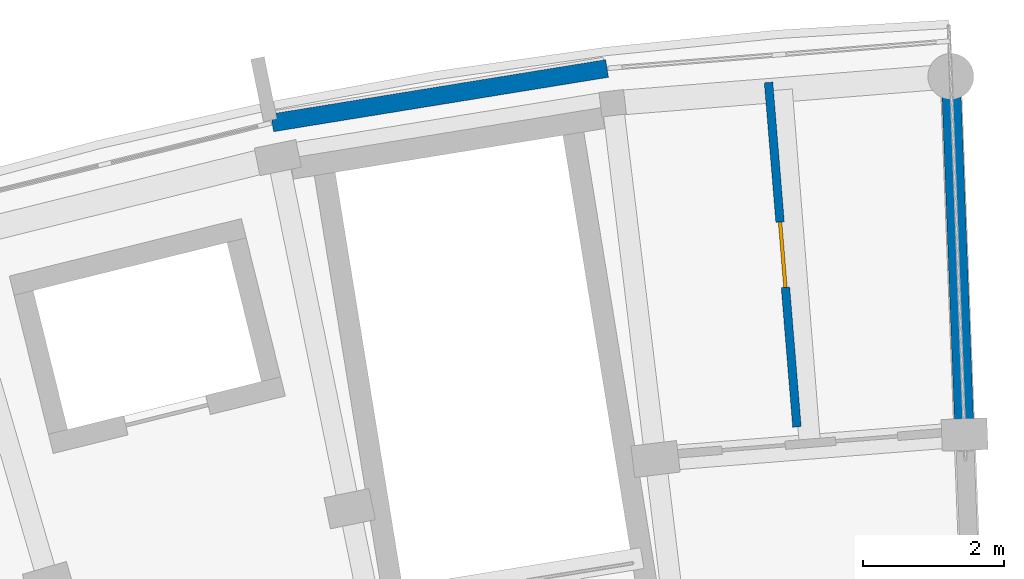
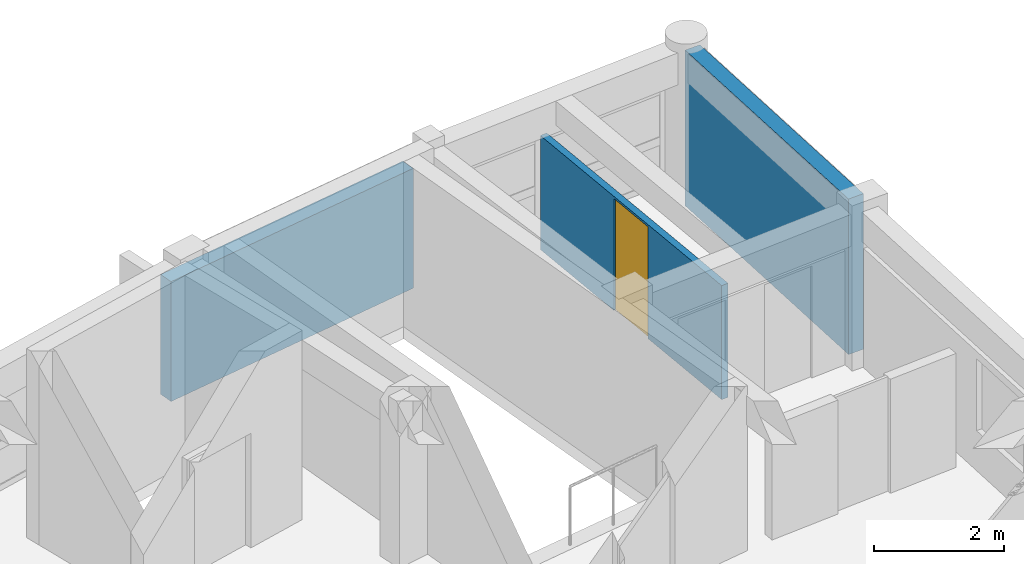
# One storey, part 10 of 11: 3 walls, 1 door, 1 opening.
"""IFC4 building model written with IfcOpenShell, lengths in metres."""

from ifc_helpers import new_model, si_unit, direction, frame, frame_2d, origin, place, context, subcontext, project, spatial, rectangle, extrude, material, layer, layer_set, type_object, element, fill, save


model = new_model("IFC4")

# Units and contexts
model_context = context("Model", 3, precision=1e-05, world=origin(), true_north=direction((0.0, 1.0)))
body_context = subcontext(model_context, "Body", "Model", "MODEL_VIEW")
ifc_project = project(units=[si_unit("LENGTHUNIT", "METRE"), si_unit("AREAUNIT", "SQUARE_METRE"), si_unit("VOLUMEUNIT", "CUBIC_METRE"), si_unit("PLANEANGLEUNIT", "RADIAN"), si_unit("MASSUNIT", "GRAM", prefix="KILO")], contexts=[model_context])

# Site, building, storey
site_placement = place(None, origin())
site = spatial("IfcSite", under=ifc_project, at=site_placement, CompositionType="ELEMENT")
building_placement = place(site_placement, origin())
building = spatial("IfcBuilding", under=site, at=building_placement, Name="Zimvara Arc Housing Community", CompositionType="ELEMENT")
storey_placement = place(building_placement, frame((0.0, 0.0, 42.199951171875)))
storey = spatial("IfcBuildingStorey", under=building, at=storey_placement, Name="L13", CompositionType="ELEMENT", Elevation=42.199951171875)

# Wall
ifc_material_1 = material(Name="Board-Marked Fair-Faced Concrete C35/45", Category="concrete")
ifc_layer_1 = layer(ifc_material_1, 0.2548828125)
ifc_layer_set_1 = layer_set([ifc_layer_1], Name="Board-Marked Fair-Faced Concrete C35/45")
wall_type_1 = type_object("IfcWallType", Name="EWL-CONC-255", PredefinedType="SOLIDWALL", material=ifc_layer_set_1)
wall_1_placement = place(storey_placement, frame((33.120361328125, 102.6787109375, 0.0), z_axis=(0.0, 0.0, 1.0), x_axis=(0.987080750493, 0.160223568819, 0.0)))
element("IfcWall", 1, at=wall_1_placement, inside=storey, type_object=wall_type_1, Name="ewall:blkA:L13:out:b8", PredefinedType="SOLIDWALL", context=body_context, shape_type="SweptSolid", body=[
    extrude(rectangle(XDim=4.808837890625, YDim=0.2548828125, at=frame_2d((2.404296875, 0.0))), origin(), (0.0, 0.0, 1.0), 2.25),
])

# Wall, opening, door
ifc_material_2 = material(Name="Painted Acoustic Plasterboard")
ifc_layer_2 = layer(ifc_material_2, 0.1201171875)
ifc_layer_set_2 = layer_set([ifc_layer_2], Name="Painted Acoustic Plasterboard")
wall_type_2 = type_object("IfcWallType", Name="IWL-PART-120", PredefinedType="PARTITIONING", material=ifc_layer_set_2)
wall_2_placement = place(storey_placement, frame((40.55908203125, 98.3671875, 0.0), z_axis=(0.0, 0.0, 1.0), x_axis=(-0.082158932509, 0.996619240136, 0.0)))
wall_2 = element("IfcWall", 2, at=wall_2_placement, inside=storey, type_object=wall_type_2, Name="iwall:blkA:L13:bed_div:b9", PredefinedType="PARTITIONING", context=body_context, shape_type="SweptSolid", body=[
    extrude(rectangle(XDim=4.900146484375, YDim=0.1201171875, at=frame_2d((2.4501953125, 0.0))), origin(), (0.0, 0.0, 1.0), 2.14013671875),
])
opening_placement = place(wall_2_placement, frame((1.985107421875, 0.0, 0.0)))
opening = element("IfcOpeningElement", 3, at=opening_placement, cuts=wall_2, Name="Opening D13", PredefinedType="OPENING", context=body_context, shape_type="SweptSolid", body=[
    extrude(rectangle(XDim=0.929931640625, YDim=2.10009765625, at=frame_2d((0.46484375, 1.050048828125))), frame((0.0, 0.070068359375, 0.0), z_axis=(0.0, -1.0, 0.0), x_axis=(1.0, 0.0, 0.0)), (0.0, 0.0, 1.0), 0.14013671875),
])
ifc_material_3 = material(Name="Mozambican Hardwood", Category="wood")
door_type = type_object("IfcDoorType", Name="IDR-MOD-930x2180", OperationType="NOTDEFINED", PredefinedType="DOOR", material=ifc_material_3)
door_placement = place(opening_placement, origin())
door = element("IfcDoor", 4, at=door_placement, inside=storey, type_object=door_type, Name="idoor:blkA:L13:bed_d:b9", OperationType="SINGLE_SWING_LEFT", OverallHeight=2.10009765625, OverallWidth=0.929931640625, PredefinedType="DOOR", context=body_context, shape_type="SweptSolid", body=[
    extrude(rectangle(XDim=0.929931640625, YDim=2.10009765625, at=frame_2d((0.46484375, 1.050048828125))), frame((0.0, 0.02490234375, 0.0), z_axis=(0.0, -1.0, 0.0), x_axis=(1.0, 0.0, 0.0)), (0.0, 0.0, 1.0), 0.050048828125),
])
fill(opening, door)

# Wall
ifc_material_4 = material(Name="Concrete C40/50", Category="concrete")
ifc_layer_3 = layer(ifc_material_4, 0.27001953125)
ifc_layer_set_3 = layer_set([ifc_layer_3], Name="Concrete C40/50")
wall_type_3 = type_object("IfcWallType", Name="WL-SHEAR-270", PredefinedType="SHEAR", material=ifc_layer_set_3)
wall_3_placement = place(storey_placement, frame((42.927734375, 98.440185546875, 0.0), z_axis=(0.0, 0.0, 1.0), x_axis=(-0.038379487611, 0.999263236055, 0.0)))
element("IfcWall", 5, at=wall_3_placement, inside=storey, type_object=wall_type_3, Name="swall:blkA:L13:east", PredefinedType="SHEAR", context=body_context, shape_type="SweptSolid", body=[
    extrude(rectangle(XDim=4.719970703125, YDim=0.27001953125, at=frame_2d((2.35986328125, 0.0))), origin(), (0.0, 0.0, 1.0), 2.920166015625),
])

save(model, "model.ifc")
